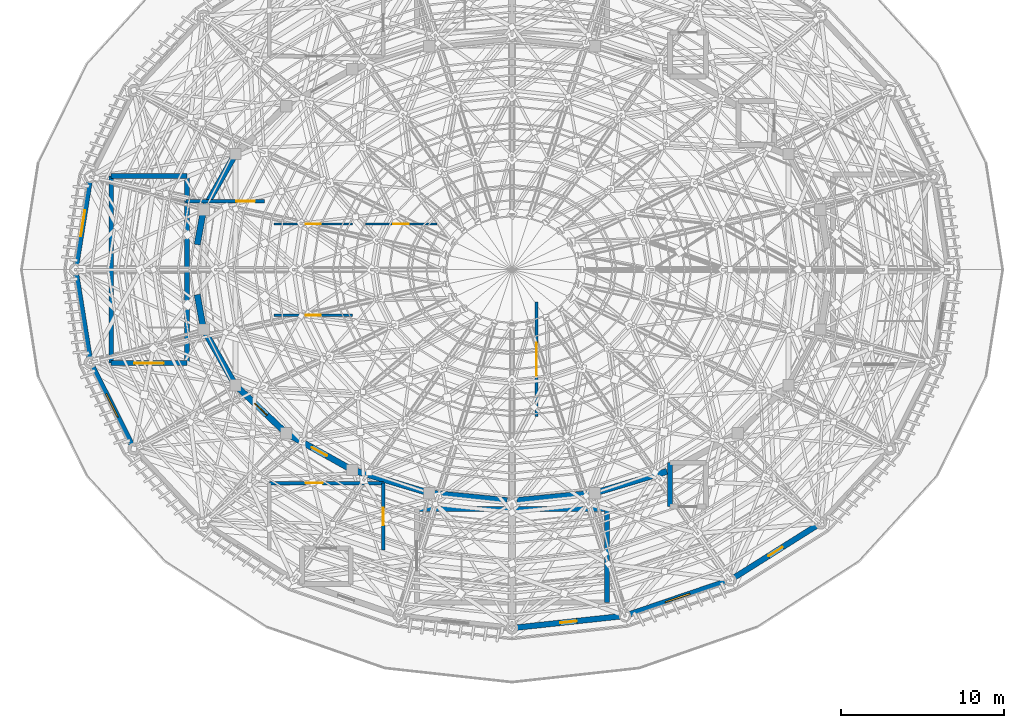
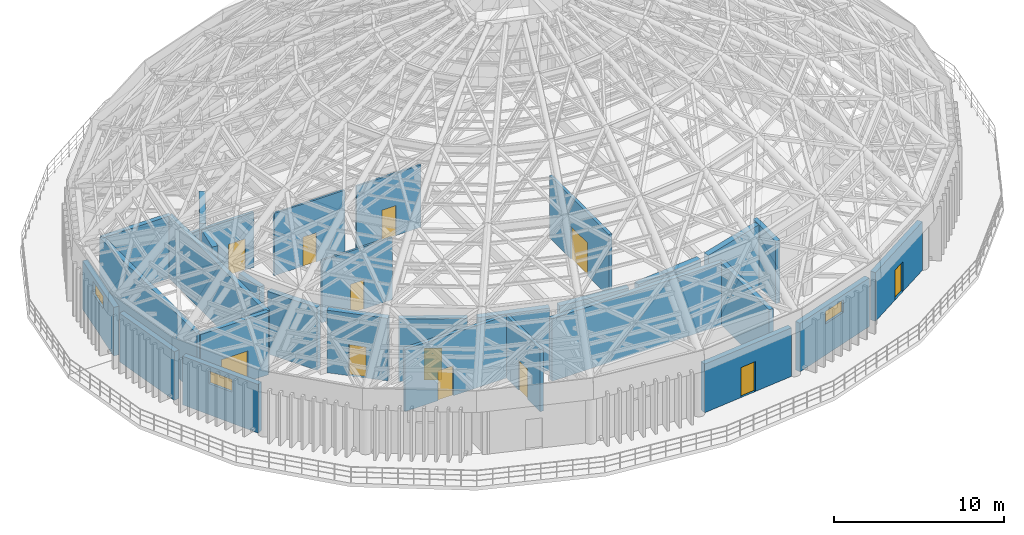
# One storey, part 39 of 50: 30 walls, 12 doors, 3 windows, 15 openings.
"""IFC4 building model written with IfcOpenShell, lengths in metres."""

from ifc_helpers import new_model, si_unit, direction, frame, frame_2d, origin, place, context, subcontext, project, spatial, rectangle, extrude, material, layer, layer_set, type_object, element, fill, save


model = new_model("IFC4")

# Units and contexts
model_context = context("Model", 3, precision=1e-05, world=origin(), true_north=direction((0.0, 1.0)))
body_context = subcontext(model_context, "Body", "Model", "MODEL_VIEW")
ifc_project = project(units=[si_unit("LENGTHUNIT", "METRE"), si_unit("AREAUNIT", "SQUARE_METRE"), si_unit("VOLUMEUNIT", "CUBIC_METRE"), si_unit("PLANEANGLEUNIT", "RADIAN"), si_unit("MASSUNIT", "GRAM", prefix="KILO")], contexts=[model_context])

# Site, building, storey
site_placement = place(None, origin())
site = spatial("IfcSite", under=ifc_project, at=site_placement, CompositionType="ELEMENT")
building_placement = place(site_placement, origin())
building = spatial("IfcBuilding", under=site, at=building_placement, Name="Cinderbank Siding Concert Hall", CompositionType="ELEMENT")
storey_placement = place(building_placement, frame((0.0, 0.0, 23.699951171875)))
storey = spatial("IfcBuildingStorey", under=building, at=storey_placement, Name="L06", CompositionType="ELEMENT", Elevation=23.699951171875)

# Walls
ifc_material_1 = material(Name="Reinforced concrete AS 3600 N50 (50 MPa)", Category="concrete")
ifc_layer_1 = layer(ifc_material_1, 0.3798828125)
ifc_layer_set_1 = layer_set([ifc_layer_1], Name="Reinforced concrete AS 3600 N50 (50 MPa)")
wall_type_1 = type_object("IfcWallType", Name="WL-01 Structural Wall 380mm", PredefinedType="SOLIDWALL", material=ifc_layer_set_1)
wall_1_placement = place(storey_placement, frame((104.884521484375, 50.8525390625, 0.0), z_axis=(0.0, 0.0, 1.0), x_axis=(-0.496318106012, -0.868140736082, 0.0)))
element("IfcWall", 1, at=wall_1_placement, inside=storey, type_object=wall_type_1, Name="L06 Structural Wall SW-E1-L06-11", PredefinedType="SOLIDWALL", context=body_context, shape_type="SweptSolid", body=[
    extrude(rectangle(XDim=3.375, YDim=0.3798828125, at=frame_2d((1.6875, 0.0))), origin(), (0.0, 0.0, 1.0), 4.5),
])
for number, where, z_axis, x_axis, name in (
    (2, (103.016845703125, 47.394775390625, 0.0), (0.0, 0.0, 1.0), (-0.178749049923, -0.983894698203, 0.0), "L06 Structural Wall SW-E1-L06-12"),
    (3, (102.678955078125, 42.465087890625, 0.0), (0.0, 0.0, 1.0), (0.178749049923, -0.983894698203, 0.0), "L06 Structural Wall SW-E1-L06-13"),
):
    element("IfcWall", number, at=place(storey_placement, frame(where, z_axis=z_axis, x_axis=x_axis)), inside=storey, type_object=wall_type_1, Name=name, PredefinedType="SOLIDWALL", context=body_context, shape_type="SweptSolid", body=[
        extrude(rectangle(XDim=1.890380859375, YDim=0.3798828125, at=frame_2d((0.9453125, 0.0))), origin(), (0.0, 0.0, 1.0), 4.5),
    ])
wall_2_placement = place(storey_placement, frame((103.20947265625, 40.077392578125, 0.0), z_axis=(0.0, 0.0, 1.0), x_axis=(0.496318106012, -0.868140736082, 0.0)))
element("IfcWall", 4, at=wall_2_placement, inside=storey, type_object=wall_type_1, Name="L06 Structural Wall SW-E1-L06-14", PredefinedType="SOLIDWALL", context=body_context, shape_type="SweptSolid", body=[
    extrude(rectangle(XDim=3.375, YDim=0.3798828125, at=frame_2d((1.6875, 0.0))), origin(), (0.0, 0.0, 1.0), 4.5),
])

# Wall, opening, door
wall_3_placement = place(storey_placement, frame((105.233154296875, 36.704345703125, 0.0), z_axis=(0.0, 0.0, 1.0), x_axis=(0.727127996206, -0.686501913423, 0.0)))
wall_3 = element("IfcWall", 5, at=wall_3_placement, inside=storey, type_object=wall_type_1, Name="L06 Structural Wall SW-E1-L06-15", PredefinedType="SOLIDWALL", context=body_context, shape_type="SweptSolid", body=[
    extrude(rectangle(XDim=3.7138671875, YDim=0.3798828125, at=frame_2d((1.85693359375, 0.0))), origin(), (0.0, 0.0, 1.0), 4.5),
])
opening_1_placement = place(wall_3_placement, frame((1.326904296875, 0.0, 0.0)))
opening_1 = element("IfcOpeningElement", 6, at=opening_1_placement, cuts=wall_3, Name="Opening D-18", PredefinedType="OPENING", context=body_context, shape_type="SweptSolid", body=[
    extrude(rectangle(XDim=1.06005859375, YDim=2.239990234375, at=frame_2d((0.530029296875, 1.1201171875))), frame((0.0, 0.201904296875, 0.0), z_axis=(0.0, -1.0, 0.0), x_axis=(1.0, 0.0, 0.0)), (0.0, 0.0, 1.0), 0.40380859375),
])
ifc_material_2 = material(Name="Solid-core spotted gum acoustic timber", Category="wood")
door_type_1 = type_object("IfcDoorType", Name="D-18 Interior Door 1060x2240", OperationType="NOTDEFINED", PredefinedType="DOOR", material=ifc_material_2)
door_1_placement = place(opening_1_placement, origin())
door_1 = element("IfcDoor", 7, at=door_1_placement, inside=storey, type_object=door_type_1, Name="L06 Auditorium Sound-Lock Door L06-D184", OperationType="SINGLE_SWING_LEFT", OverallHeight=2.239990234375, OverallWidth=1.06005859375, PredefinedType="DOOR", context=body_context, shape_type="SweptSolid", body=[
    extrude(rectangle(XDim=1.06005859375, YDim=2.239990234375, at=frame_2d((0.530029296875, 1.1201171875))), frame((0.0, 0.02490234375, 0.0), z_axis=(0.0, -1.0, 0.0), x_axis=(1.0, 0.0, 0.0)), (0.0, 0.0, 1.0), 0.050048828125),
])
fill(opening_1, door_1)

wall_4_placement = place(storey_placement, frame((108.389892578125, 33.820556640625, 0.0), z_axis=(0.0, 0.0, 1.0), x_axis=(0.87401308715, -0.485902380618, 0.0)))
wall_4 = element("IfcWall", 8, at=wall_4_placement, inside=storey, type_object=wall_type_1, Name="L06 Structural Wall SW-E1-L06-16", PredefinedType="SOLIDWALL", context=body_context, shape_type="SweptSolid", body=[
    extrude(rectangle(XDim=4.074462890625, YDim=0.3798828125, at=frame_2d((2.037109375, 0.0))), origin(), (0.0, 0.0, 1.0), 4.5),
])
opening_2_placement = place(wall_4_placement, frame((1.507080078125, 0.0, 0.0)))
opening_2 = element("IfcOpeningElement", 9, at=opening_2_placement, cuts=wall_4, Name="Opening D-18", PredefinedType="OPENING", context=body_context, shape_type="SweptSolid", body=[
    extrude(rectangle(XDim=1.06005859375, YDim=2.239990234375, at=frame_2d((0.530029296875, 1.1201171875))), frame((0.0, 0.201904296875, 0.0), z_axis=(0.0, -1.0, 0.0), x_axis=(1.0, 0.0, 0.0)), (0.0, 0.0, 1.0), 0.40380859375),
])
door_2_placement = place(opening_2_placement, origin())
door_2 = element("IfcDoor", 10, at=door_2_placement, inside=storey, type_object=door_type_1, Name="L06 Auditorium Sound-Lock Door L06-D185", OperationType="SINGLE_SWING_RIGHT", OverallHeight=2.239990234375, OverallWidth=1.06005859375, PredefinedType="DOOR", context=body_context, shape_type="SweptSolid", body=[
    extrude(rectangle(XDim=1.06005859375, YDim=2.239990234375, at=frame_2d((0.530029296875, 1.1201171875))), frame((0.0, 0.02490234375, 0.0), z_axis=(0.0, -1.0, 0.0), x_axis=(1.0, 0.0, 0.0)), (0.0, 0.0, 1.0), 0.050048828125),
])
fill(opening_2, door_2)

# Walls
wall_5_placement = place(storey_placement, frame((112.472900390625, 31.62060546875, 0.0), z_axis=(0.0, 0.0, 1.0), x_axis=(0.957792414988, -0.287460762177, 0.0)))
element("IfcWall", 11, at=wall_5_placement, inside=storey, type_object=wall_type_1, Name="L06 Structural Wall SW-E1-L06-17", PredefinedType="SOLIDWALL", context=body_context, shape_type="SweptSolid", body=[
    extrude(rectangle(XDim=4.365478515625, YDim=0.3798828125, at=frame_2d((2.1826171875, 0.0))), origin(), (0.0, 0.0, 1.0), 4.5),
])
for number, where, z_axis, x_axis, name in (
    (12, (117.210693359375, 30.2568359375, 0.0), (0.0, 0.0, 1.0), (0.995484276796, -0.094926575052, 0.0), "L06 Structural Wall SW-E1-L06-18"),
    (13, (122.298583984375, 29.82861328125, 0.0), (0.0, 0.0, 1.0), (0.995484276796, 0.094926575052, 0.0), "L06 Structural Wall SW-E1-L06-19"),
):
    element("IfcWall", number, at=place(storey_placement, frame(where, z_axis=z_axis, x_axis=x_axis)), inside=storey, type_object=wall_type_1, Name=name, PredefinedType="SOLIDWALL", context=body_context, shape_type="SweptSolid", body=[
        extrude(rectangle(XDim=4.510986328125, YDim=0.3798828125, at=frame_2d((2.25537109375, 0.0))), origin(), (0.0, 0.0, 1.0), 4.5),
    ])
wall_6_placement = place(storey_placement, frame((127.345947265625, 30.36572265625, 0.0), z_axis=(0.0, 0.0, 1.0), x_axis=(0.957796933165, 0.287445707604, 0.0)))
element("IfcWall", 14, at=wall_6_placement, inside=storey, type_object=wall_type_1, Name="L06 Structural Wall SW-E1-L06-20", PredefinedType="SOLIDWALL", context=body_context, shape_type="SweptSolid", body=[
    extrude(rectangle(XDim=4.350341796875, YDim=0.3798828125, at=frame_2d((2.17529296875, 0.0))), origin(), (0.0, 0.0, 1.0), 4.5),
])

# Wall, opening, window
ifc_layer_2 = layer(ifc_material_1, 0.35009765625)
ifc_layer_set_2 = layer_set([ifc_layer_2], Name="Reinforced concrete AS 3600 N50 (50 MPa)")
wall_type_2 = type_object("IfcWallType", Name="WL-02 Structural Wall 350mm", PredefinedType="SHEAR", material=ifc_layer_set_2)
wall_7_placement = place(storey_placement, frame((96.064208984375, 49.387939453125, 0.0), z_axis=(0.0, 0.0, 1.0), x_axis=(-0.158388253677, -0.98737690934, 0.0)))
wall_7 = element("IfcWall", 15, at=wall_7_placement, inside=storey, type_object=wall_type_2, Name="L06 Structural Wall SW-E2-L06-12", PredefinedType="SHEAR", context=body_context, shape_type="SweptSolid", body=[
    extrude(rectangle(XDim=5.146728515625, YDim=0.35009765625, at=frame_2d((2.5732421875, 0.0))), origin(), (0.0, 0.0, 1.0), 3.5),
])
opening_3_placement = place(wall_7_placement, frame((1.7734375, 0.0, 2.25)))
opening_3 = element("IfcOpeningElement", 16, at=opening_3_placement, cuts=wall_7, Name="Opening SK-01", PredefinedType="OPENING", context=body_context, shape_type="SweptSolid", body=[
    extrude(rectangle(XDim=1.60009765625, YDim=0.89990234375, at=frame_2d((0.800048828125, 0.449951171875))), frame((0.0, 0.18701171875, 0.0), z_axis=(0.0, -1.0, 0.0), x_axis=(1.0, 0.0, 0.0)), (0.0, 0.0, 1.0), 0.3740234375),
])
ifc_material_3 = material(Name="Double-glazed laminated skylight acoustic glass", Category="glass")
window_type = type_object("IfcWindowType", Name="SK-01 Acoustic Laminated Skylight 1600x900", PartitioningType="SINGLE_PANEL", PredefinedType="SKYLIGHT", material=ifc_material_3)
window_1_placement = place(opening_3_placement, origin())
window_1 = element("IfcWindow", 17, at=window_1_placement, inside=storey, type_object=window_type, Name="Dome Springing Clerestory Skylight 11", OverallHeight=0.89990234375, OverallWidth=1.60009765625, PartitioningType="SINGLE_PANEL", PredefinedType="SKYLIGHT", context=body_context, shape_type="SweptSolid", body=[
    extrude(rectangle(XDim=1.60009765625, YDim=0.89990234375, at=frame_2d((0.800048828125, 0.449951171875))), frame((0.0, 0.030029296875, 0.0), z_axis=(0.0, -1.0, 0.0), x_axis=(1.0, 0.0, 0.0)), (0.0, 0.0, 1.0), 0.06005859375),
])
fill(opening_3, window_1)

# Wall
wall_8_placement = place(storey_placement, frame((95.2490234375, 43.69384765625, 0.0), z_axis=(0.0, 0.0, 1.0), x_axis=(0.158388253677, -0.98737690934, 0.0)))
element("IfcWall", 18, at=wall_8_placement, inside=storey, type_object=wall_type_2, Name="L06 Structural Wall SW-E2-L06-13", PredefinedType="SHEAR", context=body_context, shape_type="SweptSolid", body=[
    extrude(rectangle(XDim=5.146728515625, YDim=0.35009765625, at=frame_2d((2.5732421875, 0.0))), origin(), (0.0, 0.0, 1.0), 3.5),
])

# Wall, opening, window
wall_9_placement = place(storey_placement, frame((96.252685546875, 38.029296875, 0.0), z_axis=(0.0, 0.0, 1.0), x_axis=(0.450512686904, -0.892770025784, 0.0)))
wall_9 = element("IfcWall", 19, at=wall_9_placement, inside=storey, type_object=wall_type_2, Name="L06 Structural Wall SW-E2-L06-14", PredefinedType="SHEAR", context=body_context, shape_type="SweptSolid", body=[
    extrude(rectangle(XDim=5.3232421875, YDim=0.35009765625, at=frame_2d((2.66162109375, 0.0))), origin(), (0.0, 0.0, 1.0), 3.5),
])
opening_4_placement = place(wall_9_placement, frame((1.861572265625, 0.0, 2.25)))
opening_4 = element("IfcOpeningElement", 20, at=opening_4_placement, cuts=wall_9, Name="Opening SK-01", PredefinedType="OPENING", context=body_context, shape_type="SweptSolid", body=[
    extrude(rectangle(XDim=1.60009765625, YDim=0.89990234375, at=frame_2d((0.800048828125, 0.449951171875))), frame((0.0, 0.18701171875, 0.0), z_axis=(0.0, -1.0, 0.0), x_axis=(1.0, 0.0, 0.0)), (0.0, 0.0, 1.0), 0.3740234375),
])
window_2_placement = place(opening_4_placement, origin())
window_2 = element("IfcWindow", 21, at=window_2_placement, inside=storey, type_object=window_type, Name="Dome Springing Clerestory Skylight 13", OverallHeight=0.89990234375, OverallWidth=1.60009765625, PartitioningType="SINGLE_PANEL", PredefinedType="SKYLIGHT", context=body_context, shape_type="SweptSolid", body=[
    extrude(rectangle(XDim=1.60009765625, YDim=0.89990234375, at=frame_2d((0.800048828125, 0.449951171875))), frame((0.0, 0.030029296875, 0.0), z_axis=(0.0, -1.0, 0.0), x_axis=(1.0, 0.0, 0.0)), (0.0, 0.0, 1.0), 0.06005859375),
])
fill(opening_4, window_2)

# Wall, opening, door
wall_10_placement = place(storey_placement, frame((122.30810546875, 22.033203125, 0.0), z_axis=(0.0, 0.0, 1.0), x_axis=(0.99420948753, 0.107459270912, 0.0)))
wall_10 = element("IfcWall", 22, at=wall_10_placement, inside=storey, type_object=wall_type_2, Name="L06 Structural Wall SW-E2-L06-19", PredefinedType="SHEAR", context=body_context, shape_type="SweptSolid", body=[
    extrude(rectangle(XDim=6.35693359375, YDim=0.35009765625, at=frame_2d((3.178466796875, 0.0))), origin(), (0.0, 0.0, 1.0), 3.5),
])
opening_5_placement = place(wall_10_placement, frame((2.658447265625, 0.0, 0.0)))
opening_5 = element("IfcOpeningElement", 23, at=opening_5_placement, cuts=wall_10, Name="Opening TD-02", PredefinedType="OPENING", context=body_context, shape_type="SweptSolid", body=[
    extrude(rectangle(XDim=1.0400390625, YDim=2.159912109375, at=frame_2d((0.52001953125, 1.080078125))), frame((0.0, 0.18701171875, 0.0), z_axis=(0.0, -1.0, 0.0), x_axis=(1.0, 0.0, 0.0)), (0.0, 0.0, 1.0), 0.3740234375),
])
door_type_2 = type_object("IfcDoorType", Name="TD-02 Exterior Door 1040x2160", OperationType="NOTDEFINED", PredefinedType="DOOR", material=ifc_material_2)
door_3_placement = place(opening_5_placement, origin())
door_3 = element("IfcDoor", 24, at=door_3_placement, inside=storey, type_object=door_type_2, Name="L06 Upper Drum Terrace Door L06-ED032", OperationType="SINGLE_SWING_RIGHT", OverallHeight=2.159912109375, OverallWidth=1.0400390625, PredefinedType="DOOR", context=body_context, shape_type="SweptSolid", body=[
    extrude(rectangle(XDim=1.0400390625, YDim=2.159912109375, at=frame_2d((0.52001953125, 1.080078125))), frame((0.0, 0.02490234375, 0.0), z_axis=(0.0, -1.0, 0.0), x_axis=(1.0, 0.0, 0.0)), (0.0, 0.0, 1.0), 0.050048828125),
])
fill(opening_5, door_3)

# Wall, opening, window
wall_11_placement = place(storey_placement, frame((129.22998046875, 22.849365234375, 0.0), z_axis=(0.0, 0.0, 1.0), x_axis=(0.946758358714, 0.321945042213, 0.0)))
wall_11 = element("IfcWall", 25, at=wall_11_placement, inside=storey, type_object=wall_type_2, Name="L06 Structural Wall SW-E2-L06-20", PredefinedType="SHEAR", context=body_context, shape_type="SweptSolid", body=[
    extrude(rectangle(XDim=6.20703125, YDim=0.35009765625, at=frame_2d((3.103515625, 0.0))), origin(), (0.0, 0.0, 1.0), 3.5),
])
opening_6_placement = place(wall_11_placement, frame((2.303466796875, 0.0, 2.25)))
opening_6 = element("IfcOpeningElement", 26, at=opening_6_placement, cuts=wall_11, Name="Opening SK-01", PredefinedType="OPENING", context=body_context, shape_type="SweptSolid", body=[
    extrude(rectangle(XDim=1.60009765625, YDim=0.89990234375, at=frame_2d((0.800048828125, 0.449951171875))), frame((0.0, 0.18701171875, 0.0), z_axis=(0.0, -1.0, 0.0), x_axis=(1.0, 0.0, 0.0)), (0.0, 0.0, 1.0), 0.3740234375),
])
window_3_placement = place(opening_6_placement, origin())
window_3 = element("IfcWindow", 27, at=window_3_placement, inside=storey, type_object=window_type, Name="Dome Springing Clerestory Skylight 19", OverallHeight=0.89990234375, OverallWidth=1.60009765625, PartitioningType="SINGLE_PANEL", PredefinedType="SKYLIGHT", context=body_context, shape_type="SweptSolid", body=[
    extrude(rectangle(XDim=1.60009765625, YDim=0.89990234375, at=frame_2d((0.800048828125, 0.449951171875))), frame((0.0, 0.030029296875, 0.0), z_axis=(0.0, -1.0, 0.0), x_axis=(1.0, 0.0, 0.0)), (0.0, 0.0, 1.0), 0.06005859375),
])
fill(opening_6, window_3)

# Wall, opening, door
wall_12_placement = place(storey_placement, frame((135.662353515625, 25.112548828125, 0.0), z_axis=(0.0, 0.0, 1.0), x_axis=(0.846113390603, 0.53300293643, 0.0)))
wall_12 = element("IfcWall", 28, at=wall_12_placement, inside=storey, type_object=wall_type_2, Name="L06 Structural Wall SW-E2-L06-21", PredefinedType="SHEAR", context=body_context, shape_type="SweptSolid", body=[
    extrude(rectangle(XDim=5.93994140625, YDim=0.35009765625, at=frame_2d((2.969970703125, 0.0))), origin(), (0.0, 0.0, 1.0), 3.5),
])
opening_7_placement = place(wall_12_placement, frame((2.449951171875, 0.0, 0.0)))
opening_7 = element("IfcOpeningElement", 29, at=opening_7_placement, cuts=wall_12, Name="Opening TD-02", PredefinedType="OPENING", context=body_context, shape_type="SweptSolid", body=[
    extrude(rectangle(XDim=1.0400390625, YDim=2.159912109375, at=frame_2d((0.52001953125, 1.080078125))), frame((0.0, 0.18701171875, 0.0), z_axis=(0.0, -1.0, 0.0), x_axis=(1.0, 0.0, 0.0)), (0.0, 0.0, 1.0), 0.3740234375),
])
door_4_placement = place(opening_7_placement, origin())
door_4 = element("IfcDoor", 30, at=door_4_placement, inside=storey, type_object=door_type_2, Name="L06 Upper Drum Terrace Door L06-ED033", OperationType="SINGLE_SWING_RIGHT", OverallHeight=2.159912109375, OverallWidth=1.0400390625, PredefinedType="DOOR", context=body_context, shape_type="SweptSolid", body=[
    extrude(rectangle(XDim=1.0400390625, YDim=2.159912109375, at=frame_2d((0.52001953125, 1.080078125))), frame((0.0, 0.02490234375, 0.0), z_axis=(0.0, -1.0, 0.0), x_axis=(1.0, 0.0, 0.0)), (0.0, 0.0, 1.0), 0.050048828125),
])
fill(opening_7, door_4)

# Walls
ifc_layer_3 = layer(ifc_material_1, 0.300048828125)
ifc_layer_set_3 = layer_set([ifc_layer_3], Name="Reinforced concrete AS 3600 N50 (50 MPa)")
wall_type_3 = type_object("IfcWallType", Name="WL-03 Structural Wall 300mm", PredefinedType="SHEAR", material=ifc_layer_set_3)
wall_13_placement = place(storey_placement, frame((127.840087890625, 29.300048828125, 0.0), z_axis=(0.0, 0.0, 1.0), x_axis=(0.0, -1.0, 0.0)))
element("IfcWall", 31, at=wall_13_placement, inside=storey, type_object=wall_type_3, Name="L06 ST-02 Core Wall FAR", PredefinedType="SHEAR", context=body_context, shape_type="SweptSolid", body=[
    extrude(rectangle(XDim=5.739990234375, YDim=0.300048828125, at=frame_2d((2.8701171875, 0.0))), origin(), (0.0, 0.0, 1.0), 4.5),
])
wall_14_placement = place(storey_placement, frame((116.159912109375, 29.300048828125, 0.0), z_axis=(0.0, 0.0, 1.0), x_axis=(1.0, 0.0, 0.0)))
element("IfcWall", 32, at=wall_14_placement, inside=storey, type_object=wall_type_3, Name="L06 ST-02 Core Wall SIDE2", PredefinedType="SHEAR", context=body_context, shape_type="SweptSolid", body=[
    extrude(rectangle(XDim=11.68017578125, YDim=0.300048828125, at=frame_2d((5.840087890625, 0.0))), origin(), (0.0, 0.0, 1.0), 4.5),
])

# Wall, opening, door
wall_15_placement = place(storey_placement, frame((102.0400390625, 38.260009765625, 0.0), z_axis=(0.0, 0.0, 1.0), x_axis=(-1.0, 0.0, 0.0)))
wall_15 = element("IfcWall", 33, at=wall_15_placement, inside=storey, type_object=wall_type_3, Name="L06 ST-04 Core Wall ENTRY", PredefinedType="SHEAR", context=body_context, shape_type="SweptSolid", body=[
    extrude(rectangle(XDim=4.64013671875, YDim=0.300048828125, at=frame_2d((2.320068359375, 0.0))), origin(), (0.0, 0.0, 1.0), 4.5),
])
opening_8_placement = place(wall_15_placement, frame((1.419921875, 0.0, 0.0)))
opening_8 = element("IfcOpeningElement", 34, at=opening_8_placement, cuts=wall_15, Name="Opening D-05", PredefinedType="OPENING", context=body_context, shape_type="SweptSolid", body=[
    extrude(rectangle(XDim=1.800048828125, YDim=2.199951171875, at=frame_2d((0.89990234375, 1.10009765625))), frame((0.0, 0.162109375, 0.0), z_axis=(0.0, -1.0, 0.0), x_axis=(1.0, 0.0, 0.0)), (0.0, 0.0, 1.0), 0.323974609375),
])
ifc_material_4 = material(Name="Galvanised sheet steel acoustic fire door assembly", Category="steel")
door_type_3 = type_object("IfcDoorType", Name="D-05 Interior Door 1800x2200", OperationType="DOUBLE_DOOR_SINGLE_SWING", PredefinedType="DOOR", material=ifc_material_4)
door_5_placement = place(opening_8_placement, origin())
door_5 = element("IfcDoor", 35, at=door_5_placement, inside=storey, type_object=door_type_3, Name="L06 ST-04 Fire Stair Door L06-D028", OperationType="DOUBLE_DOOR_SINGLE_SWING", OverallHeight=2.199951171875, OverallWidth=1.800048828125, PredefinedType="DOOR", context=body_context, shape_type="SweptSolid", body=[
    extrude(rectangle(XDim=1.800048828125, YDim=2.199951171875, at=frame_2d((0.89990234375, 1.10009765625))), frame((0.0, 0.02490234375, 0.0), z_axis=(0.0, -1.0, 0.0), x_axis=(1.0, 0.0, 0.0)), (0.0, 0.0, 1.0), 0.050048828125),
])
fill(opening_8, door_5)

# Walls
wall_16_placement = place(storey_placement, frame((97.39990234375, 49.739990234375, 0.0), z_axis=(0.0, 0.0, 1.0), x_axis=(1.0, 0.0, 0.0)))
element("IfcWall", 36, at=wall_16_placement, inside=storey, type_object=wall_type_3, Name="L06 ST-04 Core Wall FAR", PredefinedType="SHEAR", context=body_context, shape_type="SweptSolid", body=[
    extrude(rectangle(XDim=4.64013671875, YDim=0.300048828125, at=frame_2d((2.320068359375, 0.0))), origin(), (0.0, 0.0, 1.0), 4.5),
])
for number, where, z_axis, x_axis, name in (
    (37, (102.0400390625, 49.739990234375, 0.0), (0.0, 0.0, 1.0), (0.0, -1.0, 0.0), "L06 ST-04 Core Wall SIDE1"),
    (38, (97.39990234375, 38.260009765625, 0.0), (0.0, 0.0, 1.0), (0.0, 1.0, 0.0), "L06 ST-04 Core Wall SIDE2"),
):
    element("IfcWall", number, at=place(storey_placement, frame(where, z_axis=z_axis, x_axis=x_axis)), inside=storey, type_object=wall_type_3, Name=name, PredefinedType="SHEAR", context=body_context, shape_type="SweptSolid", body=[
        extrude(rectangle(XDim=11.47998046875, YDim=0.300048828125, at=frame_2d((5.739990234375, 0.0))), origin(), (0.0, 0.0, 1.0), 4.5),
    ])
wall_17_placement = place(storey_placement, frame((131.699951171875, 29.449951171875, 0.0), z_axis=(0.0, 0.0, 1.0), x_axis=(0.0, 1.0, 0.0)))
element("IfcWall", 39, at=wall_17_placement, inside=storey, type_object=wall_type_3, Name="L06 LF-02 Shaft Wall -X", PredefinedType="SHEAR", context=body_context, shape_type="SweptSolid", body=[
    extrude(rectangle(XDim=2.699951171875, YDim=0.300048828125, at=frame_2d((1.35009765625, 0.0))), origin(), (0.0, 0.0, 1.0), 4.5),
])

# Wall, opening, door
ifc_layer_4 = layer(ifc_material_1, 0.219970703125)
ifc_layer_set_4 = layer_set([ifc_layer_4], Name="Reinforced concrete AS 3600 N50 (50 MPa)")
wall_type_4 = type_object("IfcWallType", Name="WL-06 Interior Wall 220mm", PredefinedType="SOLIDWALL", material=ifc_layer_set_4)
wall_18_placement = place(storey_placement, frame((107.10009765625, 30.89990234375, 0.0), z_axis=(0.0, 0.0, 1.0), x_axis=(1.0, 0.0, 0.0)))
wall_18 = element("IfcWall", 40, at=wall_18_placement, inside=storey, type_object=wall_type_4, Name="L06 Firefighting Lobby Wall FFLS-N", PredefinedType="SOLIDWALL", context=body_context, shape_type="SweptSolid", body=[
    extrude(rectangle(XDim=7.0, YDim=0.219970703125, at=frame_2d((3.5, 0.0))), origin(), (0.0, 0.0, 1.0), 4.485107421875),
])
opening_9_placement = place(wall_18_placement, frame((2.22509765625, 0.0, 0.0)))
opening_9 = element("IfcOpeningElement", 41, at=opening_9_placement, cuts=wall_18, Name="Opening D-02", PredefinedType="OPENING", context=body_context, shape_type="SweptSolid", body=[
    extrude(rectangle(XDim=1.050048828125, YDim=2.14990234375, at=frame_2d((0.52490234375, 1.074951171875))), frame((0.0, 0.1220703125, 0.0), z_axis=(0.0, -1.0, 0.0), x_axis=(1.0, 0.0, 0.0)), (0.0, 0.0, 1.0), 0.243896484375),
])
door_type_4 = type_object("IfcDoorType", Name="D-02 Interior Door 1050x2150", OperationType="NOTDEFINED", PredefinedType="DOOR", material=ifc_material_4)
door_6_placement = place(opening_9_placement, origin())
door_6 = element("IfcDoor", 42, at=door_6_placement, inside=storey, type_object=door_type_4, Name="L06 Firefighting Lobby Door L06-D088", OperationType="SINGLE_SWING_LEFT", OverallHeight=2.14990234375, OverallWidth=1.050048828125, PredefinedType="DOOR", context=body_context, shape_type="SweptSolid", body=[
    extrude(rectangle(XDim=1.050048828125, YDim=2.14990234375, at=frame_2d((0.52490234375, 1.074951171875))), frame((0.0, 0.02490234375, 0.0), z_axis=(0.0, -1.0, 0.0), x_axis=(1.0, 0.0, 0.0)), (0.0, 0.0, 1.0), 0.050048828125),
])
fill(opening_9, door_6)

wall_19_placement = place(storey_placement, frame((114.10009765625, 30.89990234375, 0.0), z_axis=(0.0, 0.0, 1.0), x_axis=(0.0, -1.0, 0.0)))
wall_19 = element("IfcWall", 43, at=wall_19_placement, inside=storey, type_object=wall_type_4, Name="L06 Firefighting Lobby Wall FFLS-E", PredefinedType="SOLIDWALL", context=body_context, shape_type="SweptSolid", body=[
    extrude(rectangle(XDim=4.099853515625, YDim=0.219970703125, at=frame_2d((2.0498046875, 0.0))), origin(), (0.0, 0.0, 1.0), 4.485107421875),
])
opening_10_placement = place(wall_19_placement, frame((1.52490234375, 0.0, 0.0)))
opening_10 = element("IfcOpeningElement", 44, at=opening_10_placement, cuts=wall_19, Name="Opening D-02", PredefinedType="OPENING", context=body_context, shape_type="SweptSolid", body=[
    extrude(rectangle(XDim=1.050048828125, YDim=2.14990234375, at=frame_2d((0.52490234375, 1.074951171875))), frame((0.0, 0.1220703125, 0.0), z_axis=(0.0, -1.0, 0.0), x_axis=(1.0, 0.0, 0.0)), (0.0, 0.0, 1.0), 0.243896484375),
])
door_7_placement = place(opening_10_placement, origin())
door_7 = element("IfcDoor", 45, at=door_7_placement, inside=storey, type_object=door_type_4, Name="L06 Firefighting Lobby Door L06-D089", OperationType="SINGLE_SWING_RIGHT", OverallHeight=2.14990234375, OverallWidth=1.050048828125, PredefinedType="DOOR", context=body_context, shape_type="SweptSolid", body=[
    extrude(rectangle(XDim=1.050048828125, YDim=2.14990234375, at=frame_2d((0.52490234375, 1.074951171875))), frame((0.0, 0.02490234375, 0.0), z_axis=(0.0, -1.0, 0.0), x_axis=(1.0, 0.0, 0.0)), (0.0, 0.0, 1.0), 0.050048828125),
])
fill(opening_10, door_7)

ifc_material_5 = material(Name="Acoustic plasterboard on light-gauge steel studs", Category="gypsum")
ifc_layer_5 = layer(ifc_material_5, 0.199951171875)
ifc_layer_set_5 = layer_set([ifc_layer_5], Name="Acoustic plasterboard on light-gauge steel studs")
wall_type_5 = type_object("IfcWallType", Name="WL-12 Interior Wall 200mm", PredefinedType="PARTITIONING", material=ifc_layer_set_5)
wall_20_placement = place(storey_placement, frame((123.5, 35.0, 0.0), z_axis=(0.0, 0.0, 1.0), x_axis=(0.0, 1.0, 0.0)))
wall_20 = element("IfcWall", 46, at=wall_20_placement, inside=storey, type_object=wall_type_5, Name="L06 Partition Pipe Organ Chamber", PredefinedType="PARTITIONING", context=body_context, shape_type="SweptSolid", body=[
    extrude(rectangle(XDim=7.0, YDim=0.199951171875, at=frame_2d((3.5, 0.0))), origin(), (0.0, 0.0, 1.0), 4.485107421875),
])
opening_11_placement = place(wall_20_placement, frame((2.5, 0.0, 0.0)))
opening_11 = element("IfcOpeningElement", 47, at=opening_11_placement, cuts=wall_20, Name="Opening D-07", PredefinedType="OPENING", context=body_context, shape_type="SweptSolid", body=[
    extrude(rectangle(XDim=2.0, YDim=2.35009765625, at=frame_2d((1.0, 1.175048828125))), frame((0.0, 0.11181640625, 0.0), z_axis=(0.0, -1.0, 0.0), x_axis=(1.0, 0.0, 0.0)), (0.0, 0.0, 1.0), 0.223876953125),
])
door_type_5 = type_object("IfcDoorType", Name="D-07 Interior Door 2000x2350", OperationType="DOUBLE_DOOR_SINGLE_SWING", PredefinedType="DOOR", material=ifc_material_2)
door_8_placement = place(opening_11_placement, origin())
door_8 = element("IfcDoor", 48, at=door_8_placement, inside=storey, type_object=door_type_5, Name="L06 Pipe Organ Chamber Door L06-D293", OperationType="DOUBLE_DOOR_SINGLE_SWING", OverallHeight=2.35009765625, OverallWidth=2.0, PredefinedType="DOOR", context=body_context, shape_type="SweptSolid", body=[
    extrude(rectangle(XDim=2.0, YDim=2.35009765625, at=frame_2d((1.0, 1.175048828125))), frame((0.0, 0.02490234375, 0.0), z_axis=(0.0, -1.0, 0.0), x_axis=(1.0, 0.0, 0.0)), (0.0, 0.0, 1.0), 0.050048828125),
])
fill(opening_11, door_8)

wall_21_placement = place(storey_placement, frame((102.0, 48.199951171875, 0.0), z_axis=(0.0, 0.0, 1.0), x_axis=(1.0, 0.0, 0.0)))
wall_21 = element("IfcWall", 49, at=wall_21_placement, inside=storey, type_object=wall_type_5, Name="L06 Partition Instrument Conservation Workshop", PredefinedType="PARTITIONING", context=body_context, shape_type="SweptSolid", body=[
    extrude(rectangle(XDim=4.800048828125, YDim=0.199951171875, at=frame_2d((2.39990234375, 0.0))), origin(), (0.0, 0.0, 1.0), 3.9541015625),
])
opening_12_placement = place(wall_21_placement, frame((3.074951171875, 0.0, 0.0)))
opening_12 = element("IfcOpeningElement", 50, at=opening_12_placement, cuts=wall_21, Name="Opening D-11", PredefinedType="OPENING", context=body_context, shape_type="SweptSolid", body=[
    extrude(rectangle(XDim=1.14990234375, YDim=2.25, at=frame_2d((0.574951171875, 1.125))), frame((0.0, 0.11181640625, 0.0), z_axis=(0.0, -1.0, 0.0), x_axis=(1.0, 0.0, 0.0)), (0.0, 0.0, 1.0), 0.223876953125),
])
door_type_6 = type_object("IfcDoorType", Name="D-11 Interior Door 1150x2250", OperationType="NOTDEFINED", PredefinedType="DOOR", material=ifc_material_2)
door_9_placement = place(opening_12_placement, origin())
door_9 = element("IfcDoor", 51, at=door_9_placement, inside=storey, type_object=door_type_6, Name="L06 Instrument Conservation Workshop Door L06-D294", OperationType="SINGLE_SWING_LEFT", OverallHeight=2.25, OverallWidth=1.14990234375, PredefinedType="DOOR", context=body_context, shape_type="SweptSolid", body=[
    extrude(rectangle(XDim=1.14990234375, YDim=2.25, at=frame_2d((0.574951171875, 1.125))), frame((0.0, 0.02490234375, 0.0), z_axis=(0.0, -1.0, 0.0), x_axis=(1.0, 0.0, 0.0)), (0.0, 0.0, 1.0), 0.050048828125),
])
fill(opening_12, door_9)

ifc_layer_6 = layer(ifc_material_5, 0.1298828125)
ifc_layer_set_6 = layer_set([ifc_layer_6], Name="Acoustic plasterboard on light-gauge steel studs")
wall_type_6 = type_object("IfcWallType", Name="WL-17 Interior Wall 130mm", PredefinedType="PARTITIONING", material=ifc_layer_set_6)
wall_22_placement = place(storey_placement, frame((107.39990234375, 46.800048828125, 0.0), z_axis=(0.0, 0.0, 1.0), x_axis=(1.0, 0.0, 0.0)))
wall_22 = element("IfcWall", 52, at=wall_22_placement, inside=storey, type_object=wall_type_6, Name="L06 Partition L06 Male WC", PredefinedType="PARTITIONING", context=body_context, shape_type="SweptSolid", body=[
    extrude(rectangle(XDim=4.800048828125, YDim=0.1298828125, at=frame_2d((2.39990234375, 0.0))), origin(), (0.0, 0.0, 1.0), 4.485107421875),
])
opening_13_placement = place(wall_22_placement, frame((1.93994140625, 0.0, 0.0)))
opening_13 = element("IfcOpeningElement", 53, at=opening_13_placement, cuts=wall_22, Name="Opening D-09", PredefinedType="OPENING", context=body_context, shape_type="SweptSolid", body=[
    extrude(rectangle(XDim=0.919921875, YDim=2.10009765625, at=frame_2d((0.4599609375, 1.050048828125))), frame((0.0, 0.076904296875, 0.0), z_axis=(0.0, -1.0, 0.0), x_axis=(1.0, 0.0, 0.0)), (0.0, 0.0, 1.0), 0.15380859375),
])
door_type_7 = type_object("IfcDoorType", Name="D-09 Interior Door 920x2100", OperationType="NOTDEFINED", PredefinedType="DOOR", material=ifc_material_2)
door_10_placement = place(opening_13_placement, origin())
door_10 = element("IfcDoor", 54, at=door_10_placement, inside=storey, type_object=door_type_7, Name="L06 L06 Male WC Door L06-D290", OperationType="SINGLE_SWING_RIGHT", OverallHeight=2.10009765625, OverallWidth=0.919921875, PredefinedType="DOOR", context=body_context, shape_type="SweptSolid", body=[
    extrude(rectangle(XDim=0.919921875, YDim=2.10009765625, at=frame_2d((0.4599609375, 1.050048828125))), frame((0.0, 0.02490234375, 0.0), z_axis=(0.0, -1.0, 0.0), x_axis=(1.0, 0.0, 0.0)), (0.0, 0.0, 1.0), 0.050048828125),
])
fill(opening_13, door_10)

wall_23_placement = place(storey_placement, frame((107.39990234375, 41.199951171875, 0.0), z_axis=(0.0, 0.0, 1.0), x_axis=(1.0, 0.0, 0.0)))
wall_23 = element("IfcWall", 55, at=wall_23_placement, inside=storey, type_object=wall_type_6, Name="L06 Partition L06 Female WC", PredefinedType="PARTITIONING", context=body_context, shape_type="SweptSolid", body=[
    extrude(rectangle(XDim=4.800048828125, YDim=0.1298828125, at=frame_2d((2.39990234375, 0.0))), origin(), (0.0, 0.0, 1.0), 4.485107421875),
])
opening_14_placement = place(wall_23_placement, frame((1.93994140625, 0.0, 0.0)))
opening_14 = element("IfcOpeningElement", 56, at=opening_14_placement, cuts=wall_23, Name="Opening D-09", PredefinedType="OPENING", context=body_context, shape_type="SweptSolid", body=[
    extrude(rectangle(XDim=0.919921875, YDim=2.10009765625, at=frame_2d((0.4599609375, 1.050048828125))), frame((0.0, 0.076904296875, 0.0), z_axis=(0.0, -1.0, 0.0), x_axis=(1.0, 0.0, 0.0)), (0.0, 0.0, 1.0), 0.15380859375),
])
door_11_placement = place(opening_14_placement, origin())
door_11 = element("IfcDoor", 57, at=door_11_placement, inside=storey, type_object=door_type_7, Name="L06 L06 Female WC Door L06-D291", OperationType="SINGLE_SWING_LEFT", OverallHeight=2.10009765625, OverallWidth=0.919921875, PredefinedType="DOOR", context=body_context, shape_type="SweptSolid", body=[
    extrude(rectangle(XDim=0.919921875, YDim=2.10009765625, at=frame_2d((0.4599609375, 1.050048828125))), frame((0.0, 0.02490234375, 0.0), z_axis=(0.0, -1.0, 0.0), x_axis=(1.0, 0.0, 0.0)), (0.0, 0.0, 1.0), 0.050048828125),
])
fill(opening_14, door_11)

wall_24_placement = place(storey_placement, frame((113.0, 46.800048828125, 0.0), z_axis=(0.0, 0.0, 1.0), x_axis=(1.0, 0.0, 0.0)))
wall_24 = element("IfcWall", 58, at=wall_24_placement, inside=storey, type_object=wall_type_6, Name="L06 Partition L06 Accessible WC", PredefinedType="PARTITIONING", context=body_context, shape_type="SweptSolid", body=[
    extrude(rectangle(XDim=4.39990234375, YDim=0.1298828125, at=frame_2d((2.199951171875, 0.0))), origin(), (0.0, 0.0, 1.0), 4.485107421875),
])
opening_15_placement = place(wall_24_placement, frame((1.72509765625, 0.0, 0.0)))
opening_15 = element("IfcOpeningElement", 59, at=opening_15_placement, cuts=wall_24, Name="Opening D-01", PredefinedType="OPENING", context=body_context, shape_type="SweptSolid", body=[
    extrude(rectangle(XDim=0.949951171875, YDim=2.14990234375, at=frame_2d((0.47509765625, 1.074951171875))), frame((0.0, 0.076904296875, 0.0), z_axis=(0.0, -1.0, 0.0), x_axis=(1.0, 0.0, 0.0)), (0.0, 0.0, 1.0), 0.15380859375),
])
door_type_8 = type_object("IfcDoorType", Name="D-01 Interior Door 950x2150", OperationType="NOTDEFINED", PredefinedType="DOOR", material=ifc_material_2)
door_12_placement = place(opening_15_placement, origin())
door_12 = element("IfcDoor", 60, at=door_12_placement, inside=storey, type_object=door_type_8, Name="L06 L06 Accessible WC Door L06-D292", OperationType="SINGLE_SWING_RIGHT", OverallHeight=2.14990234375, OverallWidth=0.949951171875, PredefinedType="DOOR", context=body_context, shape_type="SweptSolid", body=[
    extrude(rectangle(XDim=0.949951171875, YDim=2.14990234375, at=frame_2d((0.47509765625, 1.074951171875))), frame((0.0, 0.02490234375, 0.0), z_axis=(0.0, -1.0, 0.0), x_axis=(1.0, 0.0, 0.0)), (0.0, 0.0, 1.0), 0.050048828125),
])
fill(opening_15, door_12)

save(model, "model.ifc")
